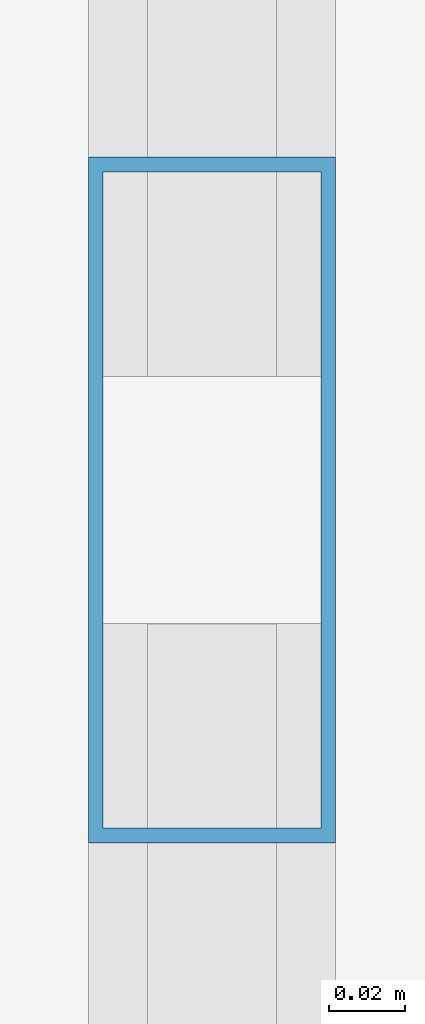
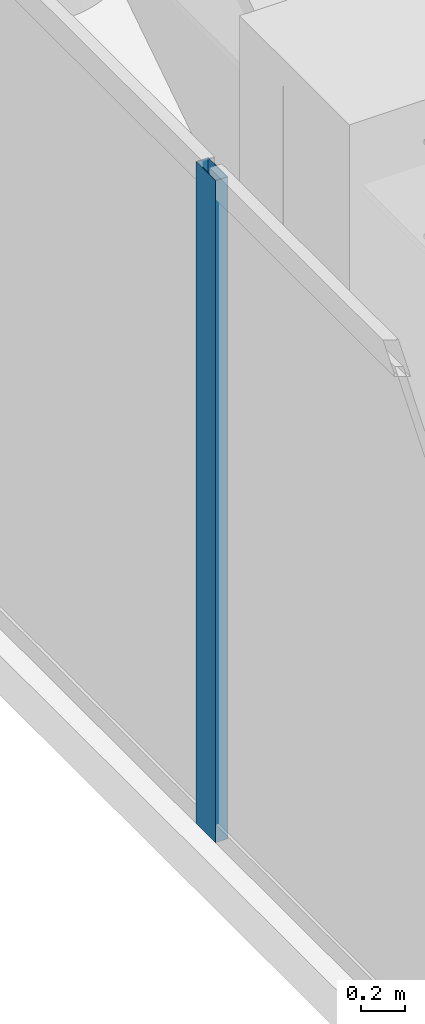
# One storey, part 6 of 21: 1 member, 1 element without a shape of its own.
"""IFC4 building model written with IfcOpenShell, lengths in metres."""

from ifc_helpers import new_model, si_unit, direction, frame, origin, origin_2d, place, context, subcontext, project, spatial, hollow_rectangle, extrude, material, layer, layer_set, material_profile, profile_set, type_object, element, aggregate, save


model = new_model("IFC4")

# Units and contexts
model_context = context("Model", 3, precision=1e-05, world=origin(), true_north=direction((0.0, 1.0)))
body_context = subcontext(model_context, "Body", "Model", "MODEL_VIEW")
ifc_project = project(units=[si_unit("LENGTHUNIT", "METRE"), si_unit("AREAUNIT", "SQUARE_METRE"), si_unit("VOLUMEUNIT", "CUBIC_METRE"), si_unit("PLANEANGLEUNIT", "RADIAN"), si_unit("MASSUNIT", "GRAM", prefix="KILO")], contexts=[model_context])

# Site, building, storey
site_placement = place(None, origin())
site = spatial("IfcSite", under=ifc_project, at=site_placement, CompositionType="ELEMENT")
building_placement = place(site_placement, origin())
building = spatial("IfcBuilding", under=site, at=building_placement, Name="Kiyonajd Concourse Tower", CompositionType="ELEMENT")
storey_placement = place(building_placement, frame((0.0, 0.0, 231.0)))
storey = spatial("IfcBuildingStorey", under=building, at=storey_placement, Name="L58", CompositionType="ELEMENT", Elevation=231.0)

# Curtain wall, member
ifc_material = material(Name="Thermally Broken Anodised Aluminium", Category="aluminium")
ifc_layer = layer(ifc_material, 0.179931640625)
ifc_layer_set = layer_set([ifc_layer], Name="Thermally Broken Anodised Aluminium")
curtain_wall_type = type_object("IfcCurtainWallType", Name="CW-SYS-04", PredefinedType="NOTDEFINED", material=ifc_layer_set)
curtain_wall_placement = place(storey_placement, origin())
curtain_wall = element("IfcCurtainWall", 1, at=curtain_wall_placement, inside=storey, type_object=curtain_wall_type, Name="L58 Unitised Curtain Wall CW4", PredefinedType="NOTDEFINED")
ifc_material_profile = material_profile(ifc_material, hollow_rectangle(XDim=0.06494140625, YDim=0.179931640625, WallThickness=0.00390625, at=origin_2d()), Name="MULL-65x180")
ifc_profile_set = profile_set([ifc_material_profile], Name="Thermally Broken Anodised Aluminium")
member_type = type_object("IfcMemberType", Name="MB-CW-MULL1", PredefinedType="MULLION", material=ifc_profile_set)
member_placement = place(storey_placement, frame((25.340087890625, 53.181396484375, 0.0), z_axis=(0.0, 0.0, 1.0), x_axis=(-1.0, 0.0, 0.0)))
member = element("IfcMember", 2, at=member_placement, type_object=member_type, Name="CW4 mullion 6", PredefinedType="MULLION", context=body_context, shape_type="SweptSolid", body=[
    extrude(hollow_rectangle(XDim=0.06494140625, YDim=0.179931640625, WallThickness=0.00390625, at=origin_2d()), origin(), (0.0, 0.0, 1.0), 3.679931640625),
])
aggregate(curtain_wall, [member])

save(model, "model.ifc")
